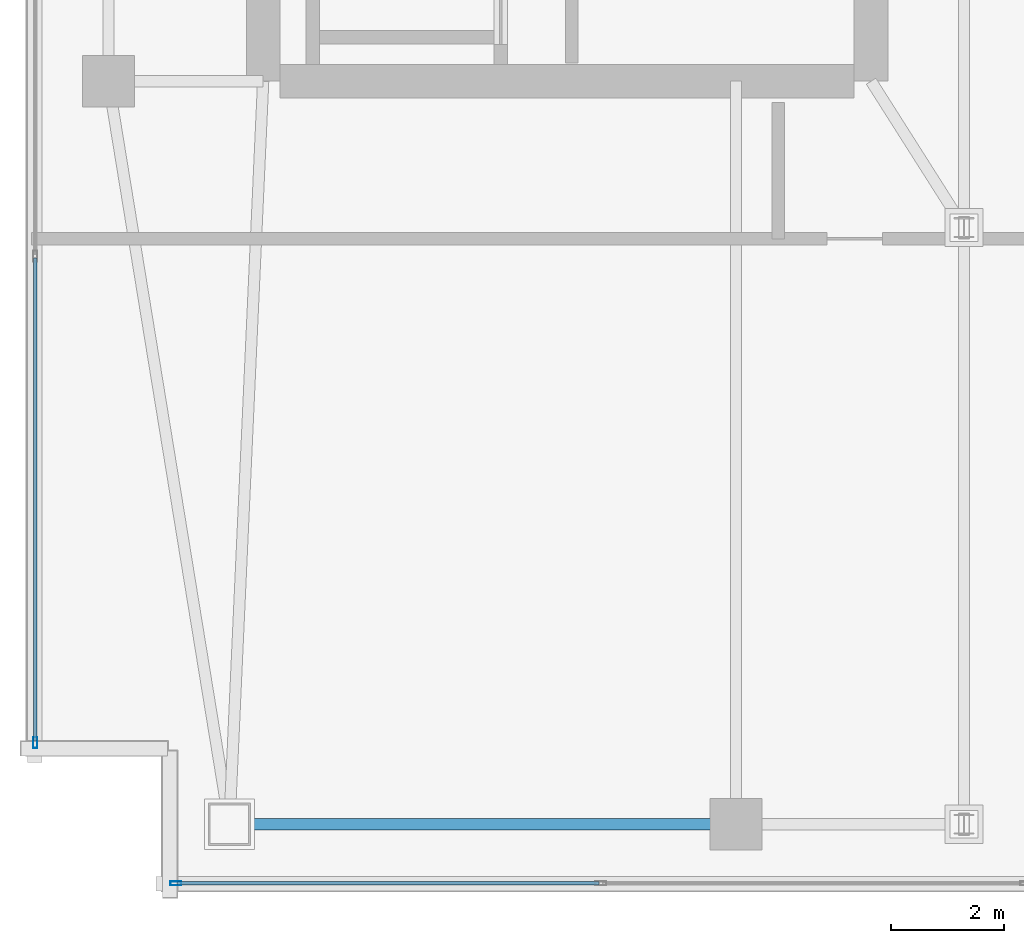
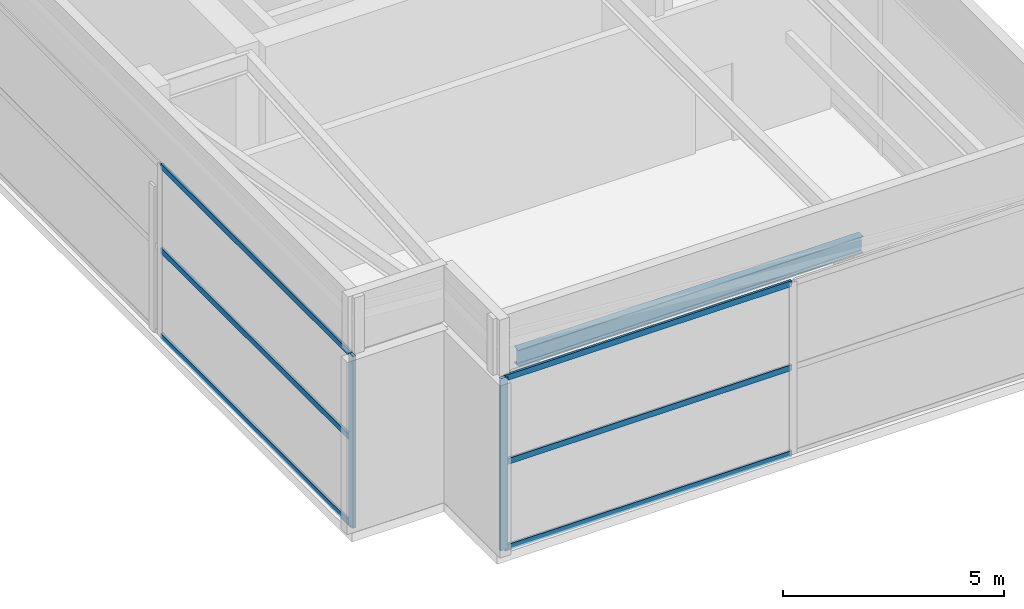
# One storey, part 3 of 20: 8 members, 1 beam, 2 elements without a shape of their own.
"""IFC4 building model written with IfcOpenShell, lengths in metres."""

from ifc_helpers import new_model, si_unit, direction, frame, origin, origin_2d, place, context, subcontext, project, spatial, hollow_rectangle, i_section, extrude, material, layer, layer_set, material_profile, profile_set, type_object, element, aggregate, save


model = new_model("IFC4")

# Units and contexts
model_context = context("Model", 3, precision=1e-05, world=origin(), true_north=direction((0.0, 1.0)))
body_context = subcontext(model_context, "Body", "Model", "MODEL_VIEW")
ifc_project = project(units=[si_unit("LENGTHUNIT", "METRE"), si_unit("AREAUNIT", "SQUARE_METRE"), si_unit("VOLUMEUNIT", "CUBIC_METRE"), si_unit("PLANEANGLEUNIT", "RADIAN"), si_unit("MASSUNIT", "GRAM", prefix="KILO")], contexts=[model_context])

# Site, building, storey
site_placement = place(None, origin())
site = spatial("IfcSite", under=ifc_project, at=site_placement, CompositionType="ELEMENT")
building_placement = place(site_placement, origin())
building = spatial("IfcBuilding", under=site, at=building_placement, Name="Calvorn Quay Hotel", CompositionType="ELEMENT")
storey_placement = place(building_placement, frame((0.0, 0.0, 345.5)))
storey = spatial("IfcBuildingStorey", under=building, at=storey_placement, Name="L84", CompositionType="ELEMENT", Elevation=345.5)

# Beam
ifc_material_1 = material(Name="Steel Q355B", Category="steel")
ifc_material_profile_1 = material_profile(ifc_material_1, i_section(OverallWidth=0.199951171875, OverallDepth=0.449951171875, WebThickness=0.009033203125, FlangeThickness=0.013916015625, FilletRadius=0.01611328125, at=origin_2d()), Name="HN450x200x9x14")
ifc_profile_set_1 = profile_set([ifc_material_profile_1], Name="Steel Q355B")
beam_type = type_object("IfcBeamType", Name="BM-SPANDREL-Z3", PredefinedType="SPANDREL", material=ifc_profile_set_1)
beam_placement = place(storey_placement, frame((3.60009765625, 3.60009765625, 4.35498046875), z_axis=(1.0, 0.0, 0.0), x_axis=(0.0, 1.0, 0.0)))
element("IfcBeam", 1, at=beam_placement, inside=storey, type_object=beam_type, Name="Beam BSP-L84-CS1", PredefinedType="SPANDREL", context=body_context, shape_type="SweptSolid", body=[
    extrude(i_section(OverallWidth=0.199951171875, OverallDepth=0.449951171875, WebThickness=0.009033203125, FlangeThickness=0.013916015625, FilletRadius=0.01611328125, at=origin_2d()), origin(), (0.0, 0.0, 1.0), 9.0),
])

# Curtain wall, member
ifc_material_2 = material(Name="Pale Anodised Aluminium and Laminated Glass", Category="aluminium")
ifc_layer = layer(ifc_material_2, 0.219970703125)
ifc_layer_set = layer_set([ifc_layer], Name="CW-SYS-CRN")
curtain_wall_type = type_object("IfcCurtainWallType", Name="CW-SYS-CRN", PredefinedType="NOTDEFINED", material=ifc_layer_set)
curtain_wall_1_placement = place(storey_placement, origin())
curtain_wall_1 = element("IfcCurtainWall", 2, at=curtain_wall_1_placement, inside=storey, type_object=curtain_wall_type, Name="Crown Curtain Wall L84-C1", PredefinedType="NOTDEFINED")
ifc_material_3 = material(Name="Pale Anodised Aluminium 6063-T6", Category="aluminium")
ifc_material_profile_2 = material_profile(ifc_material_3, hollow_rectangle(XDim=0.072021484375, YDim=0.195068359375, WallThickness=0.00390625, at=origin_2d()), Name="ALU-M195x72x4")
ifc_profile_set_2 = profile_set([ifc_material_profile_2], Name="Pale Anodised Aluminium 6063-T6")
member_type_1 = type_object("IfcMemberType", Name="CW-SYS-CRN-MUL", PredefinedType="MULLION", material=ifc_profile_set_2)
member_1_placement = place(storey_placement, frame((2.64990234375, 2.550048828125, 0.0), z_axis=(0.0, 0.0, 1.0), x_axis=(0.0, 1.0, 0.0)))
member_1 = element("IfcMember", 3, at=member_1_placement, type_object=member_type_1, Name="CW-L84-C1 mullion 1", PredefinedType="MULLION", context=body_context, shape_type="SweptSolid", body=[
    extrude(hollow_rectangle(XDim=0.072021484375, YDim=0.195068359375, WallThickness=0.00390625, at=origin_2d()), origin(), (0.0, 0.0, 1.0), 4.75),
])

curtain_wall_2_placement = place(storey_placement, origin())
curtain_wall_2 = element("IfcCurtainWall", 4, at=curtain_wall_2_placement, inside=storey, type_object=curtain_wall_type, Name="Crown Curtain Wall L84-C3", PredefinedType="NOTDEFINED")
member_2_placement = place(storey_placement, frame((0.14990234375, 5.050048828125, 0.0), z_axis=(0.0, 0.0, 1.0), x_axis=(1.0, 0.0, 0.0)))
member_2 = element("IfcMember", 5, at=member_2_placement, type_object=member_type_1, Name="CW-L84-C3 mullion 6", PredefinedType="MULLION", context=body_context, shape_type="SweptSolid", body=[
    extrude(hollow_rectangle(XDim=0.072021484375, YDim=0.195068359375, WallThickness=0.00390625, at=origin_2d()), origin(), (0.0, 0.0, 1.0), 4.75),
])

# Member
ifc_material_4 = material(Name="Pale Anodised Aluminium 6063-T6", Category="aluminium")
ifc_material_profile_3 = material_profile(ifc_material_4, hollow_rectangle(XDim=0.06201171875, YDim=0.159912109375, WallThickness=0.00341796875, at=origin_2d()), Name="ALU-T160x62x3.5")
ifc_profile_set_3 = profile_set([ifc_material_profile_3], Name="Pale Anodised Aluminium 6063-T6")
member_type_2 = type_object("IfcMemberType", Name="CW-SYS-CRN-TRN", PredefinedType="USERDEFINED", material=ifc_profile_set_3)
member_3_placement = place(storey_placement, frame((2.679931640625, 2.550048828125, 0.030029296875), z_axis=(1.0, 0.0, 0.0), x_axis=(0.0, 1.0, 0.0)))
member_3 = element("IfcMember", 6, at=member_3_placement, type_object=member_type_2, Name="CW-L84-C1 transom 1.1", ObjectType="TRANSOM", PredefinedType="USERDEFINED", context=body_context, shape_type="SweptSolid", body=[
    extrude(hollow_rectangle(XDim=0.06201171875, YDim=0.159912109375, WallThickness=0.00341796875, at=origin_2d()), origin(), (0.0, 0.0, 1.0), 7.489990234375),
])

member_4_placement = place(storey_placement, frame((2.679931640625, 2.550048828125, 2.39990234375), z_axis=(1.0, 0.0, 0.0), x_axis=(0.0, 1.0, 0.0)))
member_4 = element("IfcMember", 7, at=member_4_placement, type_object=member_type_2, Name="CW-L84-C1 transom 1.2", ObjectType="TRANSOM", PredefinedType="USERDEFINED", context=body_context, shape_type="SweptSolid", body=[
    extrude(hollow_rectangle(XDim=0.06201171875, YDim=0.159912109375, WallThickness=0.00341796875, at=origin_2d()), origin(), (0.0, 0.0, 1.0), 7.489990234375),
])

member_5_placement = place(storey_placement, frame((2.679931640625, 2.550048828125, 4.719970703125), z_axis=(1.0, 0.0, 0.0), x_axis=(0.0, 1.0, 0.0)))
member_5 = element("IfcMember", 8, at=member_5_placement, type_object=member_type_2, Name="CW-L84-C1 transom 1.3", ObjectType="TRANSOM", PredefinedType="USERDEFINED", context=body_context, shape_type="SweptSolid", body=[
    extrude(hollow_rectangle(XDim=0.06201171875, YDim=0.159912109375, WallThickness=0.00341796875, at=origin_2d()), origin(), (0.0, 0.0, 1.0), 7.489990234375),
])

aggregate(curtain_wall_1, [member_1, member_3, member_4, member_5])

member_6_placement = place(storey_placement, frame((0.14990234375, 13.662109375, 0.030029296875), z_axis=(0.0, -1.0, 0.0), x_axis=(1.0, 0.0, 0.0)))
member_6 = element("IfcMember", 9, at=member_6_placement, type_object=member_type_2, Name="CW-L84-C3 transom 5.1", ObjectType="TRANSOM", PredefinedType="USERDEFINED", context=body_context, shape_type="SweptSolid", body=[
    extrude(hollow_rectangle(XDim=0.06201171875, YDim=0.159912109375, WallThickness=0.00341796875, at=origin_2d()), origin(), (0.0, 0.0, 1.0), 8.58203125),
])

member_7_placement = place(storey_placement, frame((0.14990234375, 13.662109375, 2.39990234375), z_axis=(0.0, -1.0, 0.0), x_axis=(1.0, 0.0, 0.0)))
member_7 = element("IfcMember", 10, at=member_7_placement, type_object=member_type_2, Name="CW-L84-C3 transom 5.2", ObjectType="TRANSOM", PredefinedType="USERDEFINED", context=body_context, shape_type="SweptSolid", body=[
    extrude(hollow_rectangle(XDim=0.06201171875, YDim=0.159912109375, WallThickness=0.00341796875, at=origin_2d()), origin(), (0.0, 0.0, 1.0), 8.58203125),
])

member_8_placement = place(storey_placement, frame((0.14990234375, 13.662109375, 4.719970703125), z_axis=(0.0, -1.0, 0.0), x_axis=(1.0, 0.0, 0.0)))
member_8 = element("IfcMember", 11, at=member_8_placement, type_object=member_type_2, Name="CW-L84-C3 transom 5.3", ObjectType="TRANSOM", PredefinedType="USERDEFINED", context=body_context, shape_type="SweptSolid", body=[
    extrude(hollow_rectangle(XDim=0.06201171875, YDim=0.159912109375, WallThickness=0.00341796875, at=origin_2d()), origin(), (0.0, 0.0, 1.0), 8.58203125),
])

aggregate(curtain_wall_2, [member_2, member_6, member_7, member_8])

save(model, "model.ifc")
